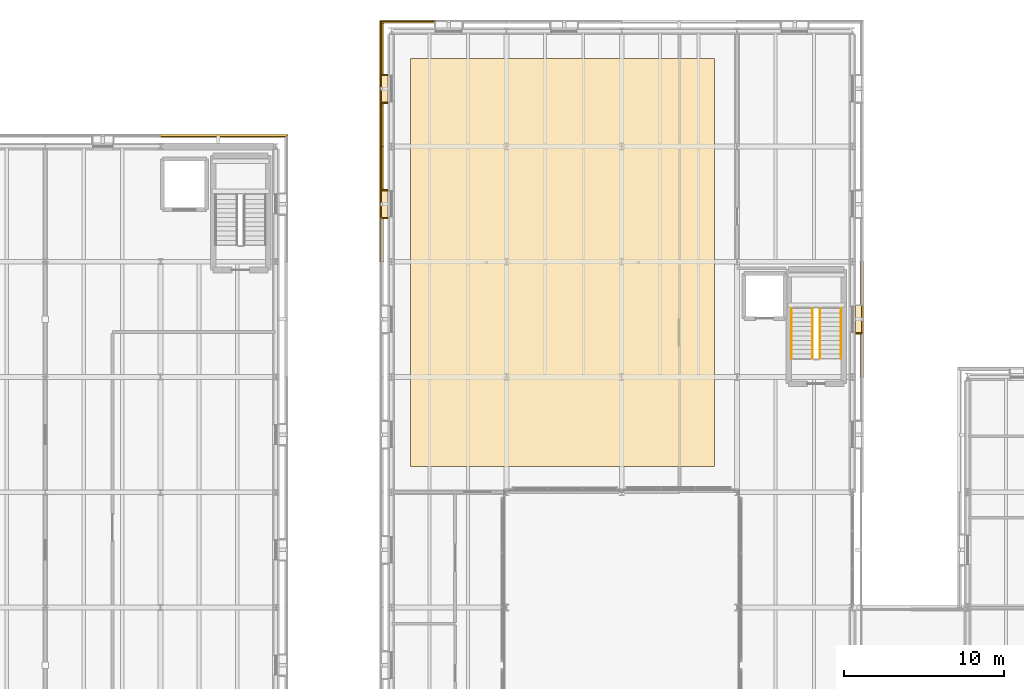
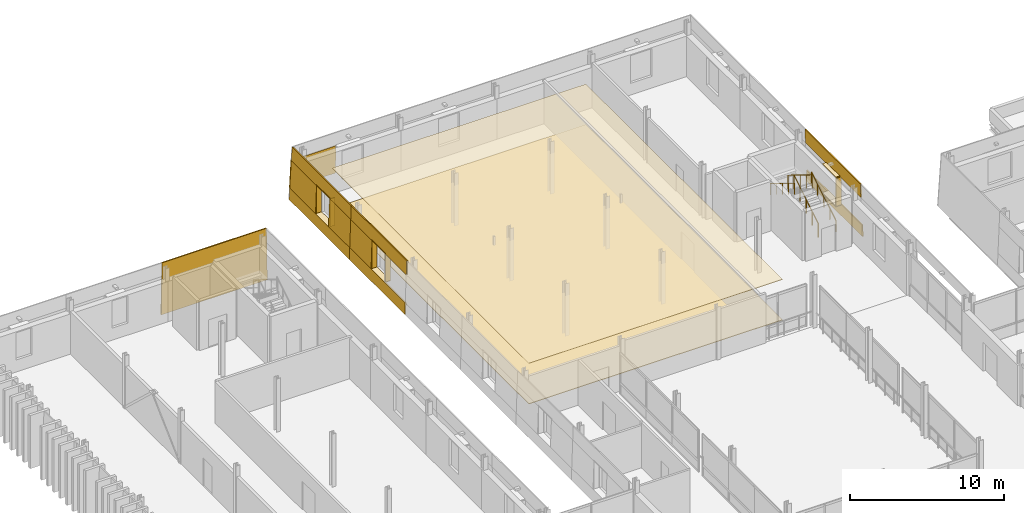
# One storey, part 103 of 115: 24 coverings, 4 railings.
"""IFC4 building model written with IfcOpenShell, lengths in metres."""

from ifc_helpers import new_model, si_unit, direction, frame, origin, origin_2d, place, context, subcontext, project, spatial, polyline, circle, outline, extrude, material, layer, layer_set, type_object, element, save


model = new_model("IFC4")

# Units and contexts
model_context = context("Model", 3, precision=1e-05, world=origin(), true_north=direction((0.0, 1.0)))
body_context = subcontext(model_context, "Body", "Model", "MODEL_VIEW")
ifc_project = project(units=[si_unit("LENGTHUNIT", "METRE"), si_unit("AREAUNIT", "SQUARE_METRE"), si_unit("VOLUMEUNIT", "CUBIC_METRE"), si_unit("PLANEANGLEUNIT", "RADIAN"), si_unit("MASSUNIT", "GRAM", prefix="KILO")], contexts=[model_context])

# Site, building, storey
site_placement = place(None, origin())
site = spatial("IfcSite", under=ifc_project, at=site_placement, CompositionType="ELEMENT")
building_placement = place(site_placement, origin())
building = spatial("IfcBuilding", under=site, at=building_placement, Name="Narikvali Park Central Library", CompositionType="ELEMENT")
storey_placement = place(building_placement, frame((0.0, 0.0, 10.199951171875)))
storey = spatial("IfcBuildingStorey", under=building, at=storey_placement, Name="L02", CompositionType="ELEMENT", Elevation=10.199951171875)

# Coverings
ifc_material_1 = material(Name="White Honed Limestone Cladding", Category="masonry")
ifc_layer_1 = layer(ifc_material_1, 0.0849609375, Name="White Honed Limestone Cladding")
ifc_layer_set_1 = layer_set([ifc_layer_1], Name="White Honed Limestone Cladding")
covering_type_1 = type_object("IfcCoveringType", Name="Battered White Limestone Facade Cladding Panel", PredefinedType="CLADDING", material=ifc_layer_set_1)
covering_1_placement = place(storey_placement, frame((58.29638671875, 93.60009765625, 0.0), z_axis=(0.999432774777, 0.0, 0.03367682738), x_axis=(0.0, 1.0, 0.0)))
element("IfcCovering", 1, at=covering_1_placement, inside=storey, type_object=covering_type_1, Name="V4 L02 E Battered Limestone Spandrel B07", PredefinedType="CLADDING", context=body_context, shape_type="SweptSolid", body=[
    extrude(outline(polyline([(0.0, 0.0), (7.199951171875, 0.0), (7.199951171875, 0.9206882532251458), (0.0, 0.9206882532251458), (0.0, 0.0)])), origin(), (0.0, 0.0, -1.0), 0.0849609375),
])
covering_2_placement = place(storey_placement, frame((58.19140625, 93.60009765625, 3.1201171875), z_axis=(0.999425428317, 0.0, 0.033894147467), x_axis=(0.0, 1.0, 0.0)))
element("IfcCovering", 2, at=covering_2_placement, inside=storey, type_object=covering_type_1, Name="V4 L02 E Battered Limestone Lintel B07", PredefinedType="CLADDING", context=body_context, shape_type="SweptSolid", body=[
    extrude(outline(polyline([(0.0, 0.0), (7.199951171875, 0.0), (7.199951171875, 1.0804547830976703), (0.0, 1.0804547830976703), (0.0, 0.0)])), origin(), (0.0, 0.0, -1.0), 0.0849609375),
])
covering_3_placement = place(storey_placement, frame((31.56005859375, 115.865478515625, 0.920166015625), z_axis=(0.0, 0.999431408105, 0.033717361898), x_axis=(-1.0, 0.0, 0.0)))
element("IfcCovering", 3, at=covering_3_placement, inside=storey, type_object=covering_type_1, Name="V4 L02 N Battered Limestone Jamb Pier R B04", PredefinedType="CLADDING", context=body_context, shape_type="SweptSolid", body=[
    extrude(outline(polyline([(0.0, 0.0), (3.425537109375, 0.0), (3.351318359375, 2.201202757922529), (0.0, 2.201202757922529), (0.0, 0.0)])), origin(), (0.0, 0.0, -1.0), 0.0849609375),
])
covering_4_placement = place(storey_placement, frame((28.103515625, 115.811279296875, 0.0), z_axis=(-0.999432774777, 0.0, 0.03367682738), x_axis=(0.0, -1.0, 0.0)))
element("IfcCovering", 4, at=covering_4_placement, inside=storey, type_object=covering_type_1, Name="V4 L02 W Battered Limestone Spandrel B01", PredefinedType="CLADDING", context=body_context, shape_type="SweptSolid", body=[
    extrude(outline(polyline([(0.0, 0.0), (7.811279296875, 0.0), (7.811279296875, 0.9206882532251458), (0.03076171875, 0.9206882532251458), (0.0, 0.0)])), origin(), (0.0, 0.0, -1.0), 0.0849609375),
])
covering_5_placement = place(storey_placement, frame((28.208740234375, 115.706298828125, 3.1201171875), z_axis=(-0.999433057245, 0.0, 0.033668443484), x_axis=(0.0, -1.0, 0.0)))
element("IfcCovering", 5, at=covering_5_placement, inside=storey, type_object=covering_type_1, Name="V4 L02 W Battered Limestone Lintel B01", PredefinedType="CLADDING", context=body_context, shape_type="SweptSolid", body=[
    extrude(outline(polyline([(0.0, 0.0), (7.706298828125, 0.0), (7.706298828125, 1.0804465357109745), (0.036376953125, 1.0804465357109745), (0.0, 0.0)])), origin(), (0.0, 0.0, -1.0), 0.0849609375),
])
covering_6_placement = place(storey_placement, frame((28.134521484375, 115.780517578125, 0.920166015625), z_axis=(-0.999431408105, 0.0, 0.033717361898), x_axis=(0.0, -1.0, 0.0)))
element("IfcCovering", 6, at=covering_6_placement, inside=storey, type_object=covering_type_1, Name="V4 L02 W Battered Limestone Jamb Pier L B01", PredefinedType="CLADDING", context=body_context, shape_type="SweptSolid", body=[
    extrude(outline(polyline([(0.0, 0.0), (3.340576171875, 0.0), (3.340576171875, 2.201202757922529), (0.07421875, 2.201202757922529), (0.0, 0.0)])), origin(), (0.0, 0.0, -1.0), 0.0849609375),
])
covering_7_placement = place(storey_placement, frame((28.134521484375, 110.760009765625, 0.920166015625), z_axis=(-0.999431408105, 0.0, 0.033717361898), x_axis=(0.0, -1.0, 0.0)))
element("IfcCovering", 7, at=covering_7_placement, inside=storey, type_object=covering_type_1, Name="V4 L02 W Battered Limestone Jamb Pier R B01", PredefinedType="CLADDING", context=body_context, shape_type="SweptSolid", body=[
    extrude(outline(polyline([(0.0, 0.0), (2.760009765625, 0.0), (2.760009765625, 2.2012027579225295), (0.0, 2.2012027579225295), (0.0, 0.0)])), origin(), (0.0, 0.0, -1.0), 0.0849609375),
])
covering_8_placement = place(storey_placement, frame((28.103515625, 108.0, 0.0), z_axis=(-0.999432774777, 0.0, 0.03367682738), x_axis=(0.0, -1.0, 0.0)))
element("IfcCovering", 8, at=covering_8_placement, inside=storey, type_object=covering_type_1, Name="V4 L02 W Battered Limestone Spandrel B02", PredefinedType="CLADDING", context=body_context, shape_type="SweptSolid", body=[
    extrude(outline(polyline([(0.0, 0.0), (7.199951171875, 0.0), (7.199951171875, 0.9206882532251458), (0.0, 0.9206882532251458), (0.0, 0.0)])), origin(), (0.0, 0.0, -1.0), 0.0849609375),
])
covering_9_placement = place(storey_placement, frame((28.208740234375, 108.0, 3.1201171875), z_axis=(-0.999433057245, 0.0, 0.033668443484), x_axis=(0.0, -1.0, 0.0)))
element("IfcCovering", 9, at=covering_9_placement, inside=storey, type_object=covering_type_1, Name="V4 L02 W Battered Limestone Lintel B02", PredefinedType="CLADDING", context=body_context, shape_type="SweptSolid", body=[
    extrude(outline(polyline([(0.0, 0.0), (7.199951171875, 0.0), (7.199951171875, 1.0804465357109745), (0.0, 1.0804465357109745), (0.0, 0.0)])), origin(), (0.0, 0.0, -1.0), 0.0849609375),
])
covering_10_placement = place(storey_placement, frame((28.134521484375, 108.0, 0.920166015625), z_axis=(-0.999431408105, 0.0, 0.033717361898), x_axis=(0.0, -1.0, 0.0)))
element("IfcCovering", 10, at=covering_10_placement, inside=storey, type_object=covering_type_1, Name="V4 L02 W Battered Limestone Jamb Pier L B02", PredefinedType="CLADDING", context=body_context, shape_type="SweptSolid", body=[
    extrude(outline(polyline([(0.0, 0.0), (2.760009765625, 0.0), (2.760009765625, 2.2012027579225295), (0.0, 2.2012027579225295), (0.0, 0.0)])), origin(), (0.0, 0.0, -1.0), 0.0849609375),
])
covering_11_placement = place(storey_placement, frame((22.3505859375, 108.75048828125, 0.0), z_axis=(0.0, 0.99959954049, 0.028297679255), x_axis=(-1.0, 0.0, 0.0)))
element("IfcCovering", 11, at=covering_11_placement, inside=storey, type_object=covering_type_1, Name="V5 L02 N Battered Limestone Panel B01", PredefinedType="CLADDING", context=body_context, shape_type="SweptSolid", body=[
    extrude(outline(polyline([(0.0, 0.0), (7.95068359375, 0.0), (7.95068359375, 4.201633756068099), (0.119140625, 4.201633756068099), (0.0, 0.0)])), origin(), (0.0, 0.0, -1.0), 0.0849609375),
])
ifc_layer_2 = layer(ifc_material_1, 0.080078125, Name="White Honed Limestone Cladding")
ifc_layer_set_2 = layer_set([ifc_layer_2], Name="White Honed Limestone Cladding")
covering_type_2 = type_object("IfcCoveringType", Name="Deep Carved White Limestone Window Reveal", PredefinedType="CLADDING", material=ifc_layer_set_2)
covering_12_placement = place(storey_placement, frame((0.0, 0.0, 3.1201171875)))
element("IfcCovering", 12, at=covering_12_placement, inside=storey, type_object=covering_type_2, Name="Deep Stone Reveal Head V4-RVL-L02-E-B07", PredefinedType="CLADDING", context=body_context, shape_type="SweptSolid", body=[
    extrude(outline(polyline([(57.804931640625, 96.320068359375), (57.804931640625, 98.080078125), (58.19140625, 98.080078125), (58.19140625, 96.320068359375), (57.804931640625, 96.320068359375)])), origin(), (0.0, 0.0, 1.0), 0.079833984375),
])
covering_13_placement = place(storey_placement, frame((0.0, 0.0, 0.840087890625)))
element("IfcCovering", 13, at=covering_13_placement, inside=storey, type_object=covering_type_2, Name="Deep Stone Reveal Sill V4-RVL-L02-E-B07", PredefinedType="CLADDING", context=body_context, shape_type="SweptSolid", body=[
    extrude(outline(polyline([(57.804931640625, 96.320068359375), (57.804931640625, 98.080078125), (58.265380859375, 98.080078125), (58.265380859375, 96.320068359375), (57.804931640625, 96.320068359375)])), origin(), (0.0, 0.0, 1.0), 0.080078125),
])
covering_14_placement = place(storey_placement, frame((0.0, 0.0, 0.920166015625)))
element("IfcCovering", 14, at=covering_14_placement, inside=storey, type_object=covering_type_2, Name="Deep Stone Reveal Jamb L V4-RVL-L02-E-B07", PredefinedType="CLADDING", context=body_context, shape_type="SweptSolid", body=[
    extrude(outline(polyline([(57.804931640625, 96.280029296875), (57.804931640625, 96.360107421875), (58.19140625, 96.360107421875), (58.19140625, 96.280029296875), (57.804931640625, 96.280029296875)])), origin(), (0.0, 0.0, 1.0), 2.199951171875),
])
covering_15_placement = place(storey_placement, frame((0.0, 0.0, 3.1201171875)))
element("IfcCovering", 15, at=covering_15_placement, inside=storey, type_object=covering_type_2, Name="Deep Stone Reveal Head V4-RVL-L02-W-B01", PredefinedType="CLADDING", context=body_context, shape_type="SweptSolid", body=[
    extrude(outline(polyline([(28.594970703125, 112.47998046875), (28.594970703125, 110.719970703125), (28.208740234375, 110.719970703125), (28.208740234375, 112.47998046875), (28.594970703125, 112.47998046875)])), origin(), (0.0, 0.0, 1.0), 0.079833984375),
])
covering_16_placement = place(storey_placement, frame((0.0, 0.0, 0.840087890625)))
element("IfcCovering", 16, at=covering_16_placement, inside=storey, type_object=covering_type_2, Name="Deep Stone Reveal Sill V4-RVL-L02-W-B01", PredefinedType="CLADDING", context=body_context, shape_type="SweptSolid", body=[
    extrude(outline(polyline([(28.594970703125, 112.47998046875), (28.594970703125, 110.719970703125), (28.134521484375, 110.719970703125), (28.134521484375, 112.47998046875), (28.594970703125, 112.47998046875)])), origin(), (0.0, 0.0, 1.0), 0.080078125),
])
covering_17_placement = place(storey_placement, frame((0.0, 0.0, 0.920166015625)))
element("IfcCovering", 17, at=covering_17_placement, inside=storey, type_object=covering_type_2, Name="Deep Stone Reveal Jamb L V4-RVL-L02-W-B01", PredefinedType="CLADDING", context=body_context, shape_type="SweptSolid", body=[
    extrude(outline(polyline([(28.594970703125, 112.52001953125), (28.594970703125, 112.43994140625), (28.208740234375, 112.43994140625), (28.208740234375, 112.52001953125), (28.594970703125, 112.52001953125)])), origin(), (0.0, 0.0, 1.0), 2.199951171875),
])
covering_18_placement = place(storey_placement, frame((0.0, 0.0, 0.920166015625)))
element("IfcCovering", 18, at=covering_18_placement, inside=storey, type_object=covering_type_2, Name="Deep Stone Reveal Jamb R V4-RVL-L02-W-B01", PredefinedType="CLADDING", context=body_context, shape_type="SweptSolid", body=[
    extrude(outline(polyline([(28.594970703125, 110.760009765625), (28.594970703125, 110.679931640625), (28.208740234375, 110.679931640625), (28.208740234375, 110.760009765625), (28.594970703125, 110.760009765625)])), origin(), (0.0, 0.0, 1.0), 2.199951171875),
])
covering_19_placement = place(storey_placement, frame((0.0, 0.0, 3.1201171875)))
element("IfcCovering", 19, at=covering_19_placement, inside=storey, type_object=covering_type_2, Name="Deep Stone Reveal Head V4-RVL-L02-W-B02", PredefinedType="CLADDING", context=body_context, shape_type="SweptSolid", body=[
    extrude(outline(polyline([(28.594970703125, 105.280029296875), (28.594970703125, 103.52001953125), (28.208740234375, 103.52001953125), (28.208740234375, 105.280029296875), (28.594970703125, 105.280029296875)])), origin(), (0.0, 0.0, 1.0), 0.079833984375),
])
covering_20_placement = place(storey_placement, frame((0.0, 0.0, 0.840087890625)))
element("IfcCovering", 20, at=covering_20_placement, inside=storey, type_object=covering_type_2, Name="Deep Stone Reveal Sill V4-RVL-L02-W-B02", PredefinedType="CLADDING", context=body_context, shape_type="SweptSolid", body=[
    extrude(outline(polyline([(28.594970703125, 105.280029296875), (28.594970703125, 103.52001953125), (28.134521484375, 103.52001953125), (28.134521484375, 105.280029296875), (28.594970703125, 105.280029296875)])), origin(), (0.0, 0.0, 1.0), 0.080078125),
])
covering_21_placement = place(storey_placement, frame((0.0, 0.0, 0.920166015625)))
element("IfcCovering", 21, at=covering_21_placement, inside=storey, type_object=covering_type_2, Name="Deep Stone Reveal Jamb L V4-RVL-L02-W-B02", PredefinedType="CLADDING", context=body_context, shape_type="SweptSolid", body=[
    extrude(outline(polyline([(28.594970703125, 105.320068359375), (28.594970703125, 105.239990234375), (28.208740234375, 105.239990234375), (28.208740234375, 105.320068359375), (28.594970703125, 105.320068359375)])), origin(), (0.0, 0.0, 1.0), 2.199951171875),
])
covering_22_placement = place(storey_placement, frame((0.0, 0.0, 0.920166015625)))
element("IfcCovering", 22, at=covering_22_placement, inside=storey, type_object=covering_type_2, Name="Deep Stone Reveal Jamb R V4-RVL-L02-W-B02", PredefinedType="CLADDING", context=body_context, shape_type="SweptSolid", body=[
    extrude(outline(polyline([(28.594970703125, 103.56005859375), (28.594970703125, 103.47998046875), (28.208740234375, 103.47998046875), (28.208740234375, 103.56005859375), (28.594970703125, 103.56005859375)])), origin(), (0.0, 0.0, 1.0), 2.199951171875),
])
ifc_material_2 = material(Name="Acoustic Mineral Fibre Board")
ifc_layer_3 = layer(ifc_material_2, 0.034912109375, Name="Acoustic Mineral Fibre Board")
ifc_layer_set_3 = layer_set([ifc_layer_3], Name="Acoustic Mineral Fibre Board")
covering_type_3 = type_object("IfcCoveringType", Name="Mineral Fibre Reading Room Ceiling", PredefinedType="CEILING", material=ifc_layer_set_3)
covering_23_placement = place(storey_placement, frame((0.0, 0.0, 3.205078125)))
element("IfcCovering", 23, at=covering_23_placement, inside=storey, type_object=covering_type_3, Name="V4 L02 Acoustic Suspended Ceiling 06", PredefinedType="CEILING", context=body_context, shape_type="SweptSolid", body=[
    extrude(outline(polyline([(30.0, 88.0), (49.0, 88.0), (49.0, 113.5), (30.0, 113.5), (30.0, 88.0)])), origin(), (0.0, 0.0, 1.0), 0.034912109375),
])
ifc_material_3 = material(Name="Polished Georgian Basalt Terrazzo", Category="masonry")
ifc_layer_4 = layer(ifc_material_3, 0.0400390625, Name="Polished Georgian Basalt Terrazzo")
ifc_layer_set_4 = layer_set([ifc_layer_4], Name="Polished Georgian Basalt Terrazzo")
covering_type_4 = type_object("IfcCoveringType", Name="Polished Basalt Terrazzo Floor Finish", PredefinedType="FLOORING", material=ifc_layer_set_4)
covering_24_placement = place(storey_placement, origin())
element("IfcCovering", 24, at=covering_24_placement, inside=storey, type_object=covering_type_4, Name="V4 L02 Basalt Terrazzo Flooring 06", PredefinedType="FLOORING", context=body_context, shape_type="SweptSolid", body=[
    extrude(outline(polyline([(30.0, 88.0), (49.0, 88.0), (49.0, 113.5), (30.0, 113.5), (30.0, 88.0)])), origin(), (0.0, 0.0, 1.0), 0.0400390625),
])

# Railings
ifc_material_4 = material(Name="Brushed Stainless Steel S355", Category="steel")
ifc_layer_5 = layer(ifc_material_4, 0.044921875, Name="Brushed Stainless Steel S355")
ifc_layer_set_5 = layer_set([ifc_layer_5], Name="Brushed Stainless Steel S355")
railing_type_1 = type_object("IfcRailingType", Name="Stair Tubular Steel Handrail 900", PredefinedType="HANDRAIL", material=ifc_layer_set_5)
railing_1_placement = place(storey_placement, frame((56.89990234375, 94.75, 0.175048828125)))
element("IfcRailing", 25, at=railing_1_placement, inside=storey, type_object=railing_type_1, Name="L02 ST-08 stair handrail 1", PredefinedType="HANDRAIL", context=body_context, shape_type="SweptSolid", body=[
    extrude(circle(Radius=0.02392578125, at=origin_2d()), frame((0.0, 0.0, 0.8759765625), z_axis=(0.0, 0.852166034122, 0.523271488128), x_axis=(-1.0, 0.0, 0.0)), (0.0, 0.0, 1.0), 3.678955078125),
    extrude(circle(Radius=0.02099609375, at=origin_2d()), origin(), (0.0, 0.0, 1.0), 0.851806640625),
    extrude(circle(Radius=0.02099609375, at=origin_2d()), frame((0.0, 0.78369140625, 0.481201171875)), (0.0, 0.0, 1.0), 0.851806640625),
    extrude(circle(Radius=0.02099609375, at=origin_2d()), frame((0.0, 1.5673828125, 0.96240234375)), (0.0, 0.0, 1.0), 0.851806640625),
    extrude(circle(Radius=0.02099609375, at=origin_2d()), frame((0.0, 2.351318359375, 1.44384765625)), (0.0, 0.0, 1.0), 0.851806640625),
    extrude(circle(Radius=0.02099609375, at=origin_2d()), frame((0.0, 3.135009765625, 1.925048828125)), (0.0, 0.0, 1.0), 0.851806640625),
])
railing_2_placement = place(storey_placement, frame((53.800048828125, 97.885009765625, 2.275146484375)))
element("IfcRailing", 26, at=railing_2_placement, inside=storey, type_object=railing_type_1, Name="L02 ST-08 stair handrail 2", PredefinedType="HANDRAIL", context=body_context, shape_type="SweptSolid", body=[
    extrude(circle(Radius=0.02392578125, at=origin_2d()), frame((0.0, 0.0, 0.8759765625), z_axis=(0.0, -0.852195625947, 0.523223293744), x_axis=(1.0, 0.0, 0.0)), (0.0, 0.0, 1.0), 3.6787109375),
    extrude(circle(Radius=0.02099609375, at=origin_2d()), origin(), (0.0, 0.0, 1.0), 0.851806640625),
    extrude(circle(Radius=0.02099609375, at=origin_2d()), frame((0.0, -0.78369140625, 0.481201171875)), (0.0, 0.0, 1.0), 0.851806640625),
    extrude(circle(Radius=0.02099609375, at=origin_2d()), frame((0.0, -1.5673828125, 0.96240234375)), (0.0, 0.0, 1.0), 0.851806640625),
    extrude(circle(Radius=0.02099609375, at=origin_2d()), frame((0.0, -2.351318359375, 1.443603515625)), (0.0, 0.0, 1.0), 0.851806640625),
    extrude(circle(Radius=0.02099609375, at=origin_2d()), frame((0.0, -3.135009765625, 1.9248046875)), (0.0, 0.0, 1.0), 0.851806640625),
])
ifc_material_5 = material(Name="Powder-Coated Steel S275", Category="steel")
ifc_layer_6 = layer(ifc_material_5, 0.050048828125, Name="Powder-Coated Steel S275")
ifc_layer_set_6 = layer_set([ifc_layer_6], Name="Powder-Coated Steel S275")
railing_type_2 = type_object("IfcRailingType", Name="Stair Well Steel Guardrail 1100", PredefinedType="GUARDRAIL", material=ifc_layer_set_6)
railing_3_placement = place(storey_placement, frame((55.580078125, 94.75, 0.175048828125)))
element("IfcRailing", 27, at=railing_3_placement, inside=storey, type_object=railing_type_2, Name="L02 ST-08 stair guard 1", PredefinedType="GUARDRAIL", context=body_context, shape_type="SweptSolid", body=[
    extrude(circle(Radius=0.02392578125, at=origin_2d()), frame((0.0, 0.0, 1.076171875), z_axis=(0.0, 0.852166034122, 0.523271488128), x_axis=(-1.0, 0.0, 0.0)), (0.0, 0.0, 1.0), 3.678955078125),
    extrude(circle(Radius=0.02099609375, at=origin_2d()), origin(), (0.0, 0.0, 1.0), 1.052001953125),
    extrude(circle(Radius=0.02099609375, at=origin_2d()), frame((0.0, 0.78369140625, 0.481201171875)), (0.0, 0.0, 1.0), 1.052001953125),
    extrude(circle(Radius=0.02099609375, at=origin_2d()), frame((0.0, 1.5673828125, 0.96240234375)), (0.0, 0.0, 1.0), 1.052001953125),
    extrude(circle(Radius=0.02099609375, at=origin_2d()), frame((0.0, 2.351318359375, 1.44384765625)), (0.0, 0.0, 1.0), 1.052001953125),
    extrude(circle(Radius=0.02099609375, at=origin_2d()), frame((0.0, 3.135009765625, 1.925048828125)), (0.0, 0.0, 1.0), 1.052001953125),
])
railing_4_placement = place(storey_placement, frame((55.1201171875, 97.885009765625, 2.275146484375)))
element("IfcRailing", 28, at=railing_4_placement, inside=storey, type_object=railing_type_2, Name="L02 ST-08 stair guard 3", PredefinedType="GUARDRAIL", context=body_context, shape_type="SweptSolid", body=[
    extrude(circle(Radius=0.02392578125, at=origin_2d()), frame((0.0, 0.0, 1.076171875), z_axis=(0.0, -0.852195625947, 0.523223293744), x_axis=(1.0, 0.0, 0.0)), (0.0, 0.0, 1.0), 3.6787109375),
    extrude(circle(Radius=0.02099609375, at=origin_2d()), origin(), (0.0, 0.0, 1.0), 1.052001953125),
    extrude(circle(Radius=0.02099609375, at=origin_2d()), frame((0.0, -0.78369140625, 0.481201171875)), (0.0, 0.0, 1.0), 1.052001953125),
    extrude(circle(Radius=0.02099609375, at=origin_2d()), frame((0.0, -1.5673828125, 0.96240234375)), (0.0, 0.0, 1.0), 1.052001953125),
    extrude(circle(Radius=0.02099609375, at=origin_2d()), frame((0.0, -2.351318359375, 1.443603515625)), (0.0, 0.0, 1.0), 1.052001953125),
    extrude(circle(Radius=0.02099609375, at=origin_2d()), frame((0.0, -3.135009765625, 1.9248046875)), (0.0, 0.0, 1.0), 1.052001953125),
])

save(model, "model.ifc")
